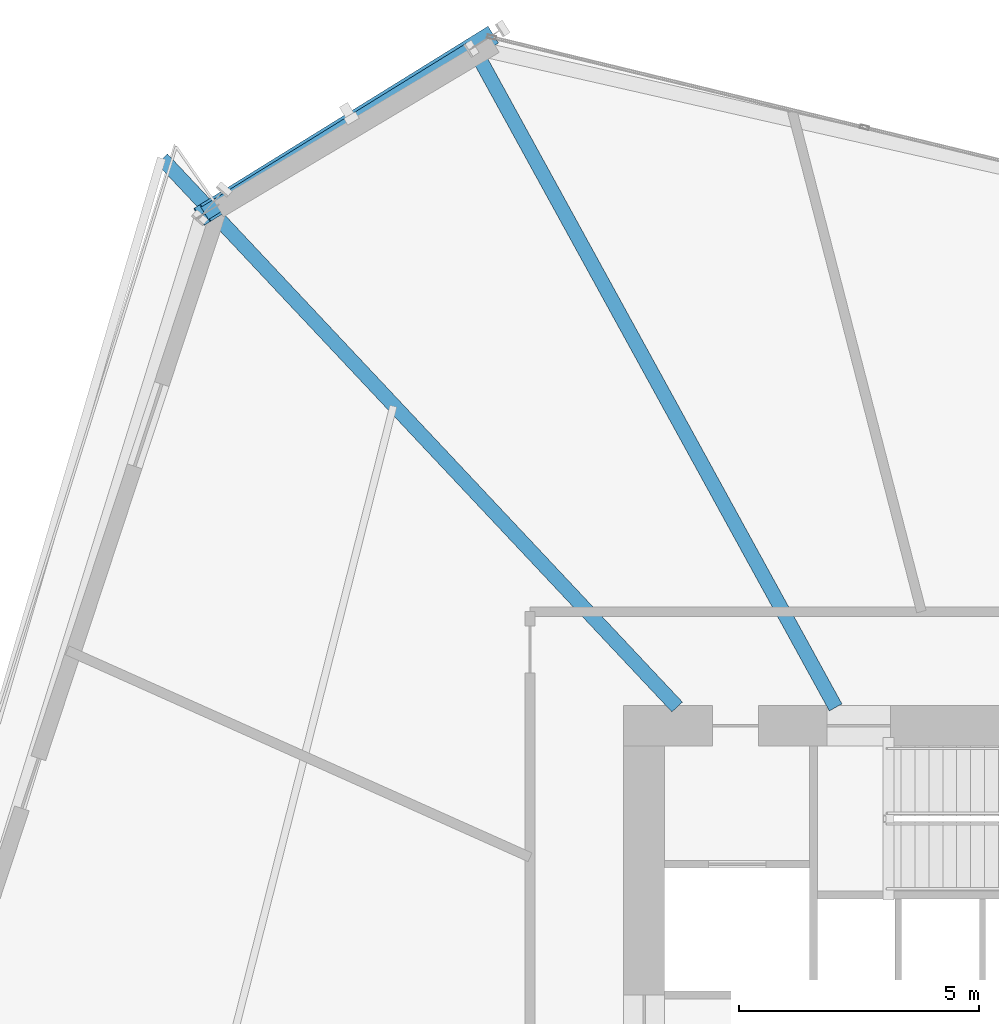
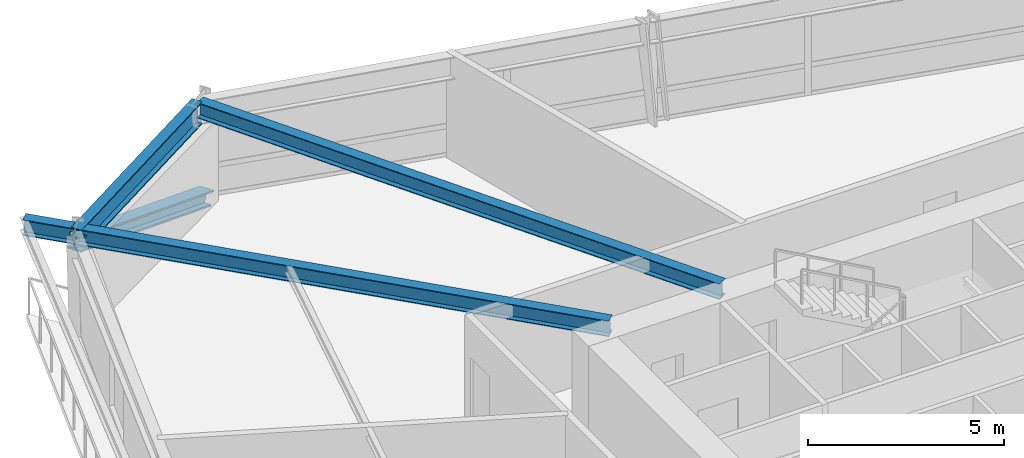
# One storey, part 9 of 24: 3 beams, 1 member.
"""IFC4 building model written with IfcOpenShell, lengths in metres."""

from ifc_helpers import new_model, si_unit, direction, frame, origin, origin_2d, place, context, subcontext, project, spatial, i_section, extrude, source, transform, mapped, material, material_profile, profile_set, type_object, element, save


model = new_model("IFC4")

# Units and contexts
model_context = context("Model", 3, precision=1e-05, world=origin(), true_north=direction((0.0, 1.0)))
body_context = subcontext(model_context, "Body", "Model", "MODEL_VIEW")
ifc_project = project(units=[si_unit("LENGTHUNIT", "METRE"), si_unit("AREAUNIT", "SQUARE_METRE"), si_unit("VOLUMEUNIT", "CUBIC_METRE"), si_unit("PLANEANGLEUNIT", "RADIAN"), si_unit("MASSUNIT", "GRAM", prefix="KILO")], contexts=[model_context])

# Site, building, storey
site_placement = place(None, origin())
site = spatial("IfcSite", under=ifc_project, at=site_placement, CompositionType="ELEMENT")
building_placement = place(site_placement, origin())
building = spatial("IfcBuilding", under=site, at=building_placement, Name="Olszyna Solenne Hotel", CompositionType="ELEMENT")
storey_placement = place(building_placement, frame((0.0, 0.0, 29.300048828125)))
storey = spatial("IfcBuildingStorey", under=building, at=storey_placement, Name="L06", CompositionType="ELEMENT", Elevation=29.300048828125)

# Beams
ifc_material_1 = material(Name="Steel S355J2", Category="steel")
ifc_material_profile_1 = material_profile(ifc_material_1, i_section(OverallWidth=0.300048828125, OverallDepth=0.699951171875, WebThickness=0.01708984375, FlangeThickness=0.031982421875, at=origin_2d()), Name="HEB 700", Category="load-bearing")
ifc_profile_set_1 = profile_set([ifc_material_profile_1], Name="Steel S355J2")
beam_type_1 = type_object("IfcBeamType", Name="BM-S1", PredefinedType="BEAM", material=ifc_profile_set_1)
shared_shape_1 = source(origin(), body_context, "Body", "SweptSolid", [
    extrude(i_section(OverallWidth=0.300048828125, OverallDepth=0.699951171875, WebThickness=0.01708984375, FlangeThickness=0.031982421875, at=origin_2d()), origin(), (0.0, 0.0, 1.0), 6.511474609375),
])
beam_1_placement = place(storey_placement, frame((26.0693359375, 48.20947265625, 2.949951171875), z_axis=(-0.850781726754, -0.525519222695, 0.0), x_axis=(0.525519222695, -0.850781726754, 0.0)))
element("IfcBeam", 1, at=beam_1_placement, inside=storey, type_object=beam_type_1, Name="Perimeter spandrel beam BM-S1 B-L06-0205", PredefinedType="BEAM", context=body_context, shape_type="MappedRepresentation", body=[
    mapped(shared_shape_1, transform((0.0, 0.0, 0.0), x_axis=(1.0, 0.0, 0.0), y_axis=(0.0, 1.0, 0.0), z_axis=(0.0, 0.0, 1.0), scale=1.0)),
])
ifc_material_profile_2 = material_profile(ifc_material_1, i_section(OverallWidth=0.300048828125, OverallDepth=0.489990234375, WebThickness=0.011962890625, FlangeThickness=0.02294921875, at=origin_2d()), Name="HEA 500", Category="load-bearing")
ifc_profile_set_2 = profile_set([ifc_material_profile_2], Name="Steel S355J2")
beam_type_2 = type_object("IfcBeamType", Name="BM-G1", PredefinedType="BEAM", material=ifc_profile_set_2)
shared_shape_2 = source(origin(), body_context, "Body", "SweptSolid", [
    extrude(i_section(OverallWidth=0.300048828125, OverallDepth=0.489990234375, WebThickness=0.011962890625, FlangeThickness=0.02294921875, at=origin_2d()), origin(), (0.0, 0.0, 1.0), 15.60791015625),
])
beam_2_placement = place(storey_placement, frame((26.1494140625, 48.188232421875, 3.054931640625), z_axis=(0.481196829598, -0.876612577588, 0.0), x_axis=(0.876612577588, 0.481196829598, 0.0)))
element("IfcBeam", 2, at=beam_2_placement, inside=storey, type_object=beam_type_2, Name="Radial floor girder BM-G1 B-L06-0216", PredefinedType="BEAM", context=body_context, shape_type="MappedRepresentation", body=[
    mapped(shared_shape_2, transform((0.0, 0.0, 0.0), x_axis=(1.0, 0.0, 0.0), y_axis=(0.0, 1.0, 0.0), z_axis=(0.0, 0.0, 1.0), scale=1.0)),
])
shared_shape_3 = source(origin(), body_context, "Body", "SweptSolid", [
    extrude(i_section(OverallWidth=0.300048828125, OverallDepth=0.489990234375, WebThickness=0.011962890625, FlangeThickness=0.02294921875, at=origin_2d()), origin(), (0.0, 0.0, 1.0), 15.6513671875),
])
beam_3_placement = place(storey_placement, frame((19.645751953125, 45.9208984375, 3.054931640625), z_axis=(0.684714380997, -0.728811509552, 0.0), x_axis=(0.728811509552, 0.684714380997, 0.0)))
element("IfcBeam", 3, at=beam_3_placement, inside=storey, type_object=beam_type_2, Name="Radial floor girder BM-G1 B-L06-0217", PredefinedType="BEAM", context=body_context, shape_type="MappedRepresentation", body=[
    mapped(shared_shape_3, transform((0.0, 0.0, 0.0), x_axis=(1.0, 0.0, 0.0), y_axis=(0.0, 1.0, 0.0), z_axis=(0.0, 0.0, 1.0), scale=1.0)),
])

# Member
ifc_material_2 = material(Name="Steel S460M", Category="steel")
ifc_material_profile_3 = material_profile(ifc_material_2, i_section(OverallWidth=0.412109375, OverallDepth=0.43505859375, WebThickness=0.031494140625, FlangeThickness=0.050048828125, at=origin_2d()), Name="HD 400x463", Category="load-bearing")
ifc_profile_set_3 = profile_set([ifc_material_profile_3], Name="Steel S460M")
member_type = type_object("IfcMemberType", Name="BR-T1", PredefinedType="BRACE", material=ifc_profile_set_3)
shared_shape_4 = source(origin(), body_context, "Body", "SweptSolid", [
    extrude(i_section(OverallWidth=0.412109375, OverallDepth=0.43505859375, WebThickness=0.031494140625, FlangeThickness=0.050048828125, at=origin_2d()), origin(), (0.0, 0.0, 1.0), 7.616455078125),
])
member_placement = place(storey_placement, frame((26.464111328125, 48.463134765625, 0.010009765625), z_axis=(-0.785888742714, -0.486720833273, 0.381420652998), x_axis=(0.526525313849, -0.85015945203, 0.0)))
element("IfcMember", 4, at=member_placement, inside=storey, type_object=member_type, Name="Perimeter braced-tube diagonal BR-T1 BR-L06-2", PredefinedType="BRACE", context=body_context, shape_type="MappedRepresentation", body=[
    mapped(shared_shape_4, transform((0.0, 0.0, 0.0), x_axis=(1.0, 0.0, 0.0), y_axis=(0.0, 1.0, 0.0), z_axis=(0.0, 0.0, 1.0), scale=1.0)),
])

save(model, "model.ifc")
